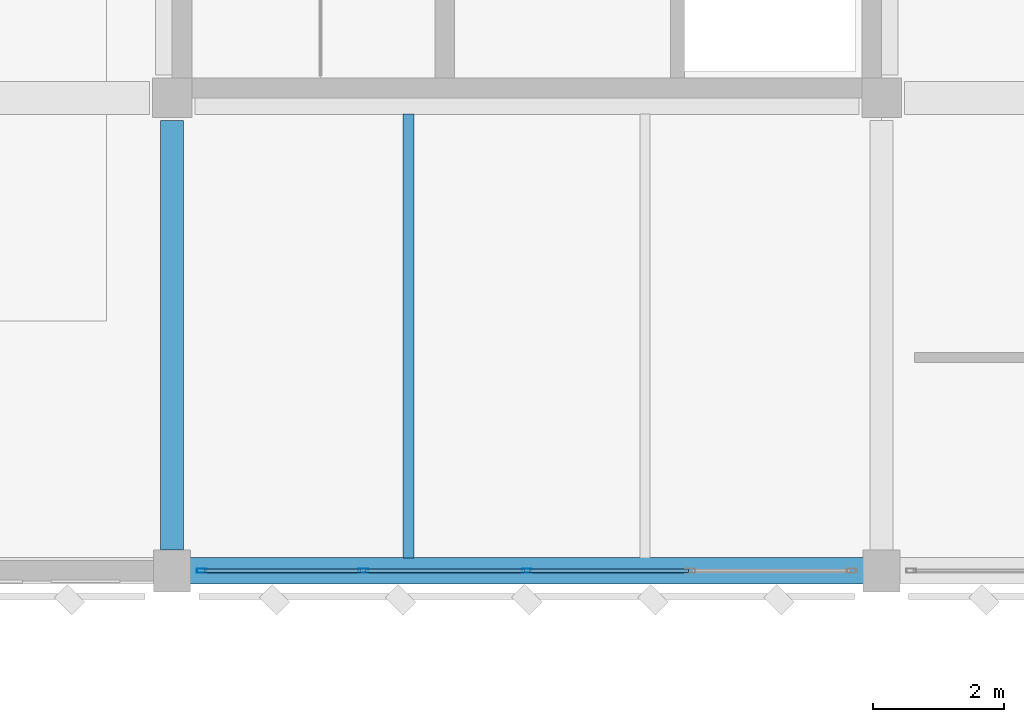
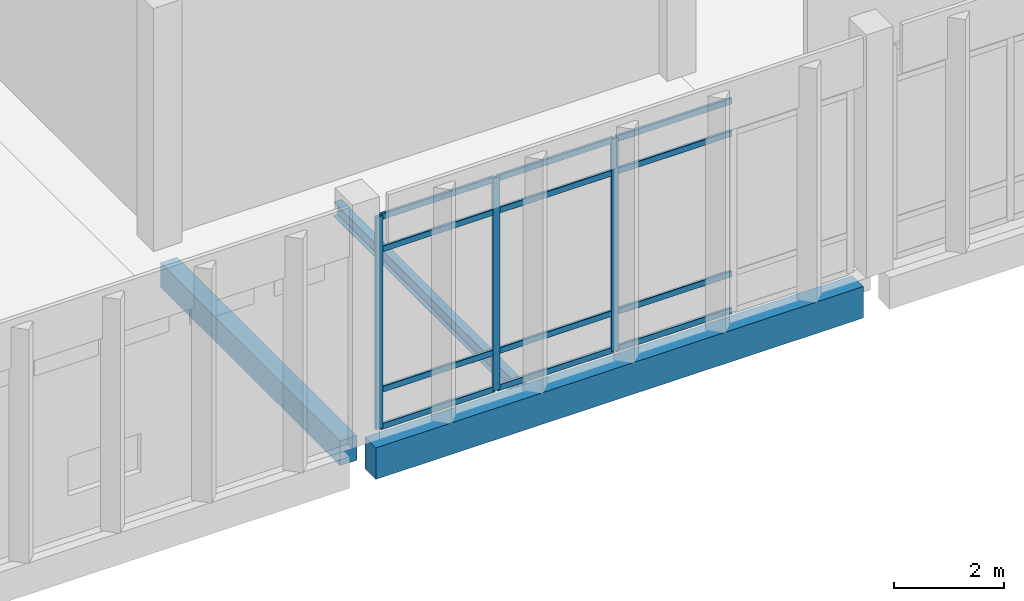
# One storey, part 74 of 180: 15 members, 3 beams, 1 element without a shape of its own.
"""IFC4 building model written with IfcOpenShell, lengths in metres."""

from ifc_helpers import new_model, si_unit, direction, frame, origin, origin_2d, place, context, subcontext, project, spatial, rectangle, hollow_rectangle, i_section, extrude, material, material_profile, profile_set, type_object, element, aggregate, save


model = new_model("IFC4")

# Units and contexts
model_context = context("Model", 3, precision=1e-05, world=origin(), true_north=direction((0.0, 1.0)))
body_context = subcontext(model_context, "Body", "Model", "MODEL_VIEW")
ifc_project = project(units=[si_unit("LENGTHUNIT", "METRE"), si_unit("AREAUNIT", "SQUARE_METRE"), si_unit("VOLUMEUNIT", "CUBIC_METRE"), si_unit("PLANEANGLEUNIT", "RADIAN"), si_unit("MASSUNIT", "GRAM", prefix="KILO")], contexts=[model_context])

# Site, building, storey
site_placement = place(None, origin())
site = spatial("IfcSite", under=ifc_project, at=site_placement, CompositionType="ELEMENT")
building_placement = place(site_placement, origin())
building = spatial("IfcBuilding", under=site, at=building_placement, Name="Lusvemor Sports Hall", CompositionType="ELEMENT")
storey_placement = place(building_placement, frame((0.0, 0.0, 5.39990234375)))
storey = spatial("IfcBuildingStorey", under=building, at=storey_placement, Name="L01", CompositionType="ELEMENT", Elevation=5.39990234375)

# Beam
ifc_material_1 = material(Name="Concrete C40/50", Category="concrete")
ifc_material_profile_1 = material_profile(ifc_material_1, rectangle(XDim=0.35009765625, YDim=0.550048828125, at=origin_2d()), Name="RC350x550")
ifc_profile_set_1 = profile_set([ifc_material_profile_1], Name="Concrete C40/50")
beam_type_1 = type_object("IfcBeamType", Name="BEAM_RC_550", PredefinedType="BEAM", material=ifc_profile_set_1)
beam_1_placement = place(storey_placement, frame((54.0, 97.51611328125, -0.534912109375), z_axis=(0.0, 1.0, 0.0), x_axis=(-1.0, 0.0, 0.0)))
element("IfcBeam", 1, at=beam_1_placement, inside=storey, type_object=beam_type_1, Name="Beam L01 6:N-P", PredefinedType="BEAM", context=body_context, shape_type="SweptSolid", body=[
    extrude(rectangle(XDim=0.35009765625, YDim=0.550048828125, at=origin_2d()), origin(), (0.0, 0.0, 1.0), 6.537841796875),
])

# Curtain wall, members
ifc_material_2 = material(Name="Thermally broken bronze-anodized aluminium", Category="aluminium")
curtain_wall_type = type_object("IfcCurtainWallType", Name="CW_WING_B", PredefinedType="NOTDEFINED", material=ifc_material_2)
curtain_wall_placement = place(storey_placement, origin())
curtain_wall = element("IfcCurtainWall", 2, at=curtain_wall_placement, inside=storey, type_object=curtain_wall_type, Name="Curtain Wall CW-L01-S-3-3", PredefinedType="NOTDEFINED")
ifc_material_3 = material(Name="Thermally broken bronze-anodized aluminium", Category="aluminium")
ifc_material_profile_2 = material_profile(ifc_material_3, hollow_rectangle(XDim=0.06494140625, YDim=0.14990234375, WallThickness=0.00390625, InnerFilletRadius=0.00390625, OuterFilletRadius=0.008056640625, at=origin_2d()), Name="CWMUL150x65x4")
ifc_profile_set_2 = profile_set([ifc_material_profile_2], Name="Thermally broken bronze-anodized aluminium")
member_type_1 = type_object("IfcMemberType", Name="CW_MUL_B", PredefinedType="MULLION", material=ifc_profile_set_2)
member_1_placement = place(storey_placement, frame((59.39990234375, 97.199951171875, 0.0), z_axis=(0.0, 0.0, 1.0), x_axis=(0.0, -1.0, 0.0)))
member_1 = element("IfcMember", 3, at=member_1_placement, type_object=member_type_1, Name="CW02 mullion 3", PredefinedType="MULLION", context=body_context, shape_type="SweptSolid", body=[
    extrude(hollow_rectangle(XDim=0.06494140625, YDim=0.14990234375, WallThickness=0.00390625, InnerFilletRadius=0.00390625, OuterFilletRadius=0.008056640625, at=origin_2d()), origin(), (0.0, 0.0, 1.0), 4.72021484375),
])
member_2_placement = place(storey_placement, frame((56.909912109375, 97.199951171875, 0.0), z_axis=(0.0, 0.0, 1.0), x_axis=(0.0, -1.0, 0.0)))
member_2 = element("IfcMember", 4, at=member_2_placement, type_object=member_type_1, Name="CW02 mullion 4", PredefinedType="MULLION", context=body_context, shape_type="SweptSolid", body=[
    extrude(hollow_rectangle(XDim=0.06494140625, YDim=0.14990234375, WallThickness=0.00390625, InnerFilletRadius=0.00390625, OuterFilletRadius=0.008056640625, at=origin_2d()), origin(), (0.0, 0.0, 1.0), 4.72021484375),
])
member_3_placement = place(storey_placement, frame((54.452392578125, 97.199951171875, 0.0), z_axis=(0.0, 0.0, 1.0), x_axis=(0.0, -1.0, 0.0)))
member_3 = element("IfcMember", 5, at=member_3_placement, type_object=member_type_1, Name="CW02 mullion 5", PredefinedType="MULLION", context=body_context, shape_type="SweptSolid", body=[
    extrude(hollow_rectangle(XDim=0.06494140625, YDim=0.14990234375, WallThickness=0.00390625, InnerFilletRadius=0.00390625, OuterFilletRadius=0.008056640625, at=origin_2d()), origin(), (0.0, 0.0, 1.0), 4.72021484375),
])
ifc_material_4 = material(Name="Thermally broken bronze-anodized aluminium", Category="aluminium")
ifc_material_profile_3 = material_profile(ifc_material_4, hollow_rectangle(XDim=0.06005859375, YDim=0.135009765625, WallThickness=0.00390625, InnerFilletRadius=0.00390625, OuterFilletRadius=0.008056640625, at=origin_2d()), Name="CWTRN135x60x4")
ifc_profile_set_3 = profile_set([ifc_material_profile_3], Name="Thermally broken bronze-anodized aluminium")
member_type_2 = type_object("IfcMemberType", Name="CW_TRN_B", PredefinedType="USERDEFINED", material=ifc_profile_set_3)
member_4_placement = place(storey_placement, frame((61.857421875, 97.199951171875, 0.030029296875), z_axis=(-1.0, 0.0, 0.0), x_axis=(0.0, -1.0, 0.0)))
member_4 = element("IfcMember", 6, at=member_4_placement, type_object=member_type_2, Name="CW02 transom 2.1", ObjectType="TRANSOM", PredefinedType="USERDEFINED", context=body_context, shape_type="SweptSolid", body=[
    extrude(hollow_rectangle(XDim=0.06005859375, YDim=0.135009765625, WallThickness=0.00390625, InnerFilletRadius=0.00390625, OuterFilletRadius=0.008056640625, at=origin_2d()), origin(), (0.0, 0.0, 1.0), 2.4248046875),
])
member_5_placement = place(storey_placement, frame((61.857421875, 97.199951171875, 0.85009765625), z_axis=(-1.0, 0.0, 0.0), x_axis=(0.0, -1.0, 0.0)))
member_5 = element("IfcMember", 7, at=member_5_placement, type_object=member_type_2, Name="CW02 transom 2.2", ObjectType="TRANSOM", PredefinedType="USERDEFINED", context=body_context, shape_type="SweptSolid", body=[
    extrude(hollow_rectangle(XDim=0.06005859375, YDim=0.135009765625, WallThickness=0.00390625, InnerFilletRadius=0.00390625, OuterFilletRadius=0.008056640625, at=origin_2d()), origin(), (0.0, 0.0, 1.0), 2.4248046875),
])
member_6_placement = place(storey_placement, frame((61.857421875, 97.199951171875, 3.97021484375), z_axis=(-1.0, 0.0, 0.0), x_axis=(0.0, -1.0, 0.0)))
member_6 = element("IfcMember", 8, at=member_6_placement, type_object=member_type_2, Name="CW02 transom 2.3", ObjectType="TRANSOM", PredefinedType="USERDEFINED", context=body_context, shape_type="SweptSolid", body=[
    extrude(hollow_rectangle(XDim=0.06005859375, YDim=0.135009765625, WallThickness=0.00390625, InnerFilletRadius=0.00390625, OuterFilletRadius=0.008056640625, at=origin_2d()), origin(), (0.0, 0.0, 1.0), 2.4248046875),
])
member_7_placement = place(storey_placement, frame((61.857421875, 97.199951171875, 4.690185546875), z_axis=(-1.0, 0.0, 0.0), x_axis=(0.0, -1.0, 0.0)))
member_7 = element("IfcMember", 9, at=member_7_placement, type_object=member_type_2, Name="CW02 transom 2.4", ObjectType="TRANSOM", PredefinedType="USERDEFINED", context=body_context, shape_type="SweptSolid", body=[
    extrude(hollow_rectangle(XDim=0.06005859375, YDim=0.135009765625, WallThickness=0.00390625, InnerFilletRadius=0.00390625, OuterFilletRadius=0.008056640625, at=origin_2d()), origin(), (0.0, 0.0, 1.0), 2.4248046875),
])
member_8_placement = place(storey_placement, frame((59.367431640625, 97.199951171875, 0.030029296875), z_axis=(-1.0, 0.0, 0.0), x_axis=(0.0, -1.0, 0.0)))
member_8 = element("IfcMember", 10, at=member_8_placement, type_object=member_type_2, Name="CW02 transom 3.1", ObjectType="TRANSOM", PredefinedType="USERDEFINED", context=body_context, shape_type="SweptSolid", body=[
    extrude(hollow_rectangle(XDim=0.06005859375, YDim=0.135009765625, WallThickness=0.00390625, InnerFilletRadius=0.00390625, OuterFilletRadius=0.008056640625, at=origin_2d()), origin(), (0.0, 0.0, 1.0), 2.425048828125),
])
member_9_placement = place(storey_placement, frame((59.367431640625, 97.199951171875, 0.85009765625), z_axis=(-1.0, 0.0, 0.0), x_axis=(0.0, -1.0, 0.0)))
member_9 = element("IfcMember", 11, at=member_9_placement, type_object=member_type_2, Name="CW02 transom 3.2", ObjectType="TRANSOM", PredefinedType="USERDEFINED", context=body_context, shape_type="SweptSolid", body=[
    extrude(hollow_rectangle(XDim=0.06005859375, YDim=0.135009765625, WallThickness=0.00390625, InnerFilletRadius=0.00390625, OuterFilletRadius=0.008056640625, at=origin_2d()), origin(), (0.0, 0.0, 1.0), 2.425048828125),
])
member_10_placement = place(storey_placement, frame((59.367431640625, 97.199951171875, 3.97021484375), z_axis=(-1.0, 0.0, 0.0), x_axis=(0.0, -1.0, 0.0)))
member_10 = element("IfcMember", 12, at=member_10_placement, type_object=member_type_2, Name="CW02 transom 3.3", ObjectType="TRANSOM", PredefinedType="USERDEFINED", context=body_context, shape_type="SweptSolid", body=[
    extrude(hollow_rectangle(XDim=0.06005859375, YDim=0.135009765625, WallThickness=0.00390625, InnerFilletRadius=0.00390625, OuterFilletRadius=0.008056640625, at=origin_2d()), origin(), (0.0, 0.0, 1.0), 2.425048828125),
])
member_11_placement = place(storey_placement, frame((59.367431640625, 97.199951171875, 4.690185546875), z_axis=(-1.0, 0.0, 0.0), x_axis=(0.0, -1.0, 0.0)))
member_11 = element("IfcMember", 13, at=member_11_placement, type_object=member_type_2, Name="CW02 transom 3.4", ObjectType="TRANSOM", PredefinedType="USERDEFINED", context=body_context, shape_type="SweptSolid", body=[
    extrude(hollow_rectangle(XDim=0.06005859375, YDim=0.135009765625, WallThickness=0.00390625, InnerFilletRadius=0.00390625, OuterFilletRadius=0.008056640625, at=origin_2d()), origin(), (0.0, 0.0, 1.0), 2.425048828125),
])
member_12_placement = place(storey_placement, frame((56.87744140625, 97.199951171875, 0.030029296875), z_axis=(-1.0, 0.0, 0.0), x_axis=(0.0, -1.0, 0.0)))
member_12 = element("IfcMember", 14, at=member_12_placement, type_object=member_type_2, Name="CW02 transom 4.1", ObjectType="TRANSOM", PredefinedType="USERDEFINED", context=body_context, shape_type="SweptSolid", body=[
    extrude(hollow_rectangle(XDim=0.06005859375, YDim=0.135009765625, WallThickness=0.00390625, InnerFilletRadius=0.00390625, OuterFilletRadius=0.008056640625, at=origin_2d()), origin(), (0.0, 0.0, 1.0), 2.392333984375),
])
member_13_placement = place(storey_placement, frame((56.87744140625, 97.199951171875, 0.85009765625), z_axis=(-1.0, 0.0, 0.0), x_axis=(0.0, -1.0, 0.0)))
member_13 = element("IfcMember", 15, at=member_13_placement, type_object=member_type_2, Name="CW02 transom 4.2", ObjectType="TRANSOM", PredefinedType="USERDEFINED", context=body_context, shape_type="SweptSolid", body=[
    extrude(hollow_rectangle(XDim=0.06005859375, YDim=0.135009765625, WallThickness=0.00390625, InnerFilletRadius=0.00390625, OuterFilletRadius=0.008056640625, at=origin_2d()), origin(), (0.0, 0.0, 1.0), 2.392333984375),
])
member_14_placement = place(storey_placement, frame((56.87744140625, 97.199951171875, 3.97021484375), z_axis=(-1.0, 0.0, 0.0), x_axis=(0.0, -1.0, 0.0)))
member_14 = element("IfcMember", 16, at=member_14_placement, type_object=member_type_2, Name="CW02 transom 4.3", ObjectType="TRANSOM", PredefinedType="USERDEFINED", context=body_context, shape_type="SweptSolid", body=[
    extrude(hollow_rectangle(XDim=0.06005859375, YDim=0.135009765625, WallThickness=0.00390625, InnerFilletRadius=0.00390625, OuterFilletRadius=0.008056640625, at=origin_2d()), origin(), (0.0, 0.0, 1.0), 2.392333984375),
])
member_15_placement = place(storey_placement, frame((56.87744140625, 97.199951171875, 4.690185546875), z_axis=(-1.0, 0.0, 0.0), x_axis=(0.0, -1.0, 0.0)))
member_15 = element("IfcMember", 17, at=member_15_placement, type_object=member_type_2, Name="CW02 transom 4.4", ObjectType="TRANSOM", PredefinedType="USERDEFINED", context=body_context, shape_type="SweptSolid", body=[
    extrude(hollow_rectangle(XDim=0.06005859375, YDim=0.135009765625, WallThickness=0.00390625, InnerFilletRadius=0.00390625, OuterFilletRadius=0.008056640625, at=origin_2d()), origin(), (0.0, 0.0, 1.0), 2.392333984375),
])
aggregate(curtain_wall, [member_1, member_2, member_3, member_4, member_5, member_6, member_7, member_8, member_9, member_10, member_11, member_12, member_13, member_14, member_15])

# Beams
ifc_material_5 = material(Name="Steel S355", Category="steel")
ifc_material_profile_4 = material_profile(ifc_material_5, i_section(OverallWidth=0.1669921875, OverallDepth=0.31689453125, WebThickness=0.007568359375, FlangeThickness=0.01318359375, FilletRadius=0.014892578125, at=origin_2d()), Name="W310x52.0")
ifc_profile_set_4 = profile_set([ifc_material_profile_4], Name="Steel S355")
beam_type_2 = type_object("IfcBeamType", Name="JOIST_ST_310M", PredefinedType="JOIST", material=ifc_profile_set_4)
beam_2_placement = place(storey_placement, frame((57.60009765625, 97.39599609375, -0.42236328125), z_axis=(0.0, 1.0, 0.0), x_axis=(-1.0, 0.0, 0.0)))
element("IfcBeam", 18, at=beam_2_placement, inside=storey, type_object=beam_type_2, Name="Secondary Joist L01 6-7/N-P #1", PredefinedType="JOIST", context=body_context, shape_type="SweptSolid", body=[
    extrude(i_section(OverallWidth=0.1669921875, OverallDepth=0.31689453125, WebThickness=0.007568359375, FlangeThickness=0.01318359375, FilletRadius=0.014892578125, at=origin_2d()), origin(), (0.0, 0.0, 1.0), 6.758056640625),
])
ifc_material_6 = material(Name="Concrete C40/50", Category="concrete")
ifc_material_profile_5 = material_profile(ifc_material_6, rectangle(XDim=0.39990234375, YDim=0.699951171875, at=origin_2d()), Name="RC400x700")
ifc_profile_set_5 = profile_set([ifc_material_profile_5], Name="Concrete C40/50")
beam_type_3 = type_object("IfcBeamType", Name="SPAND_EXT_700", PredefinedType="SPANDREL", material=ifc_profile_set_5)
beam_3_placement = place(storey_placement, frame((54.27587890625, 97.199951171875, -0.60986328125), z_axis=(1.0, 0.0, 0.0), x_axis=(0.0, 1.0, 0.0)))
element("IfcBeam", 19, at=beam_3_placement, inside=storey, type_object=beam_type_3, Name="Beam L01 N:6-7", PredefinedType="SPANDREL", context=body_context, shape_type="SweptSolid", body=[
    extrude(rectangle(XDim=0.39990234375, YDim=0.699951171875, at=origin_2d()), origin(), (0.0, 0.0, 1.0), 10.248046875),
])

save(model, "model.ifc")
